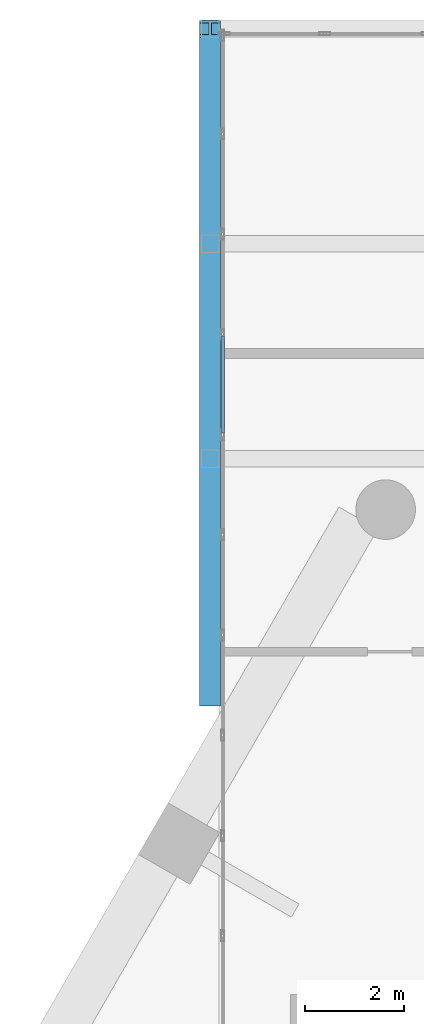
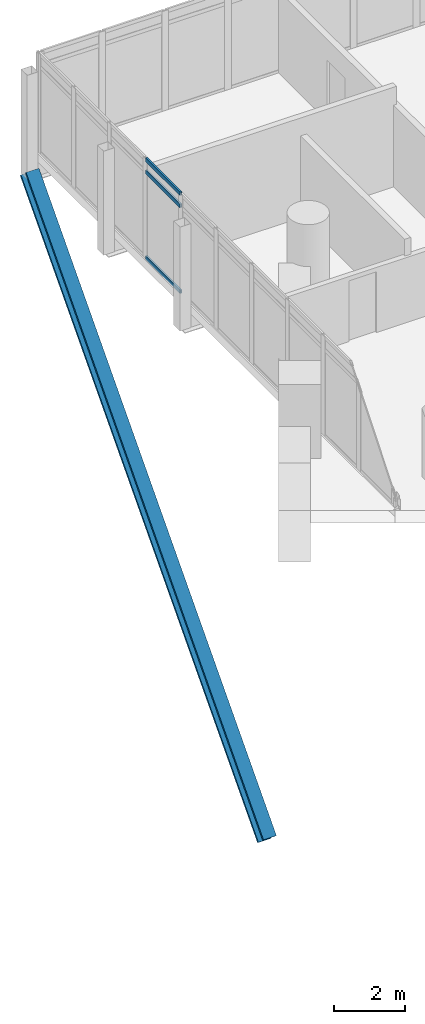
# One storey, part 17 of 37: 4 members, 1 element without a shape of its own.
"""IFC4 building model written with IfcOpenShell, lengths in metres."""

from ifc_helpers import new_model, si_unit, direction, frame, origin, origin_2d, place, context, subcontext, project, spatial, hollow_rectangle, i_section, extrude, material, material_profile, profile_set, type_object, element, aggregate, save


model = new_model("IFC4")

# Units and contexts
model_context = context("Model", 3, precision=1e-05, world=origin(), true_north=direction((0.0, 1.0)))
body_context = subcontext(model_context, "Body", "Model", "MODEL_VIEW")
ifc_project = project(units=[si_unit("LENGTHUNIT", "METRE"), si_unit("AREAUNIT", "SQUARE_METRE"), si_unit("VOLUMEUNIT", "CUBIC_METRE"), si_unit("PLANEANGLEUNIT", "RADIAN"), si_unit("MASSUNIT", "GRAM", prefix="KILO")], contexts=[model_context])

# Site, building, storey
site_placement = place(None, origin())
site = spatial("IfcSite", under=ifc_project, at=site_placement, CompositionType="ELEMENT")
building_placement = place(site_placement, origin())
building = spatial("IfcBuilding", under=site, at=building_placement, Name="Ostrander Bayou Hotel Tower", CompositionType="ELEMENT")
storey_placement = place(building_placement, frame((0.0, 0.0, 131.0)))
storey = spatial("IfcBuildingStorey", under=building, at=storey_placement, Name="L32", CompositionType="ELEMENT", Elevation=131.0)

# Curtain wall, members
ifc_material_1 = material(Name="Aluminium and clear glass", Category="aluminium")
curtain_wall_type = type_object("IfcCurtainWallType", Name="CW-BAR glazed wall", PredefinedType="NOTDEFINED", material=ifc_material_1)
curtain_wall_placement = place(storey_placement, origin())
curtain_wall = element("IfcCurtainWall", 1, at=curtain_wall_placement, inside=storey, type_object=curtain_wall_type, Name="CW-BAR L32:SB3N:E", PredefinedType="NOTDEFINED")
ifc_material_2 = material(Name="Aluminium", Category="aluminium")
ifc_material_profile_1 = material_profile(ifc_material_2, hollow_rectangle(XDim=0.06005859375, YDim=0.1298828125, WallThickness=0.00390625, at=origin_2d()))
ifc_profile_set_1 = profile_set([ifc_material_profile_1], Name="Aluminium")
member_type_1 = type_object("IfcMemberType", Name="CW-BR transom 60 x 130 mm", PredefinedType="USERDEFINED", material=ifc_profile_set_1)
member_1_placement = place(storey_placement, frame((-13.3671875, 20.996826171875, 0.030029296875), z_axis=(0.0, 1.0, 0.0), x_axis=(-1.0, 0.0, 0.0)))
member_1 = element("IfcMember", 2, at=member_1_placement, type_object=member_type_1, Name="CW-BAR transom 7.1", ObjectType="TRANSOM", PredefinedType="USERDEFINED", context=body_context, shape_type="SweptSolid", body=[
    extrude(hollow_rectangle(XDim=0.06005859375, YDim=0.1298828125, WallThickness=0.00390625, at=origin_2d()), origin(), (0.0, 0.0, 1.0), 1.957763671875),
])
member_2_placement = place(storey_placement, frame((-13.3671875, 20.996826171875, 3.0), z_axis=(0.0, 1.0, 0.0), x_axis=(-1.0, 0.0, 0.0)))
member_2 = element("IfcMember", 3, at=member_2_placement, type_object=member_type_1, Name="CW-BAR transom 7.2", ObjectType="TRANSOM", PredefinedType="USERDEFINED", context=body_context, shape_type="SweptSolid", body=[
    extrude(hollow_rectangle(XDim=0.06005859375, YDim=0.1298828125, WallThickness=0.00390625, at=origin_2d()), origin(), (0.0, 0.0, 1.0), 1.957763671875),
])
member_3_placement = place(storey_placement, frame((-13.3671875, 20.996826171875, 3.419921875), z_axis=(0.0, 1.0, 0.0), x_axis=(-1.0, 0.0, 0.0)))
member_3 = element("IfcMember", 4, at=member_3_placement, type_object=member_type_1, Name="CW-BAR transom 7.3", ObjectType="TRANSOM", PredefinedType="USERDEFINED", context=body_context, shape_type="SweptSolid", body=[
    extrude(hollow_rectangle(XDim=0.06005859375, YDim=0.1298828125, WallThickness=0.00390625, at=origin_2d()), origin(), (0.0, 0.0, 1.0), 1.957763671875),
])
aggregate(curtain_wall, [member_1, member_2, member_3])

# Member
ifc_material_3 = material(Name="Steel ASTM A992", Category="steel")
ifc_material_profile_2 = material_profile(ifc_material_3, i_section(OverallWidth=0.42138671875, OverallDepth=0.464599609375, WebThickness=0.044921875, FlangeThickness=0.072509765625, at=origin_2d()))
ifc_profile_set_2 = profile_set([ifc_material_profile_2], Name="Steel ASTM A992")
member_type_2 = type_object("IfcMemberType", Name="TK1 bar kicker strut W14x398", PredefinedType="BRACE", material=ifc_profile_set_2)
member_4_placement = place(storey_placement, frame((-13.6201171875, 29.13720703125, -0.671875), z_axis=(0.0, -0.669606038067, -0.74271646931), x_axis=(1.0, 0.0, 0.0)))
element("IfcMember", 5, at=member_4_placement, inside=storey, type_object=member_type_2, Name="TK1 SB3WA kicker", PredefinedType="BRACE", context=body_context, shape_type="SweptSolid", body=[
    extrude(i_section(OverallWidth=0.42138671875, OverallDepth=0.464599609375, WebThickness=0.044921875, FlangeThickness=0.072509765625, at=origin_2d()), origin(), (0.0, 0.0, 1.0), 20.099609375),
])

save(model, "model.ifc")
